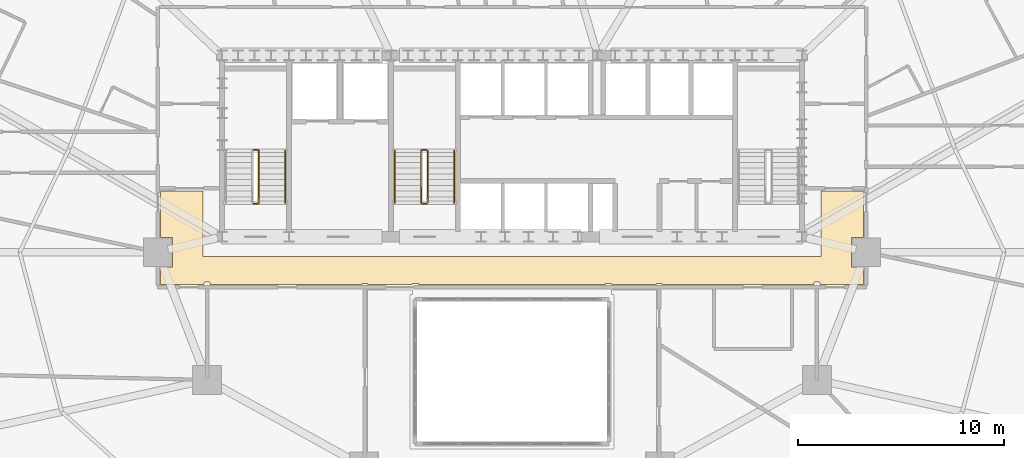
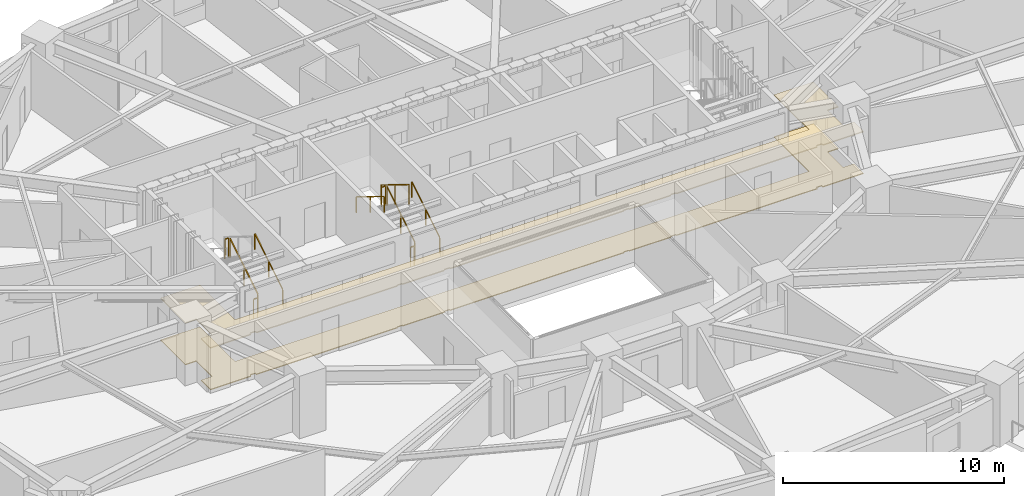
# One storey, part 15 of 17: 10 railings, 2 coverings.
"""IFC4 building model written with IfcOpenShell, lengths in metres."""

from ifc_helpers import new_model, si_unit, direction, frame, origin, origin_2d, place, context, subcontext, project, spatial, polyline, rectangle, outline, extrude, material, layer, layer_set, type_object, element, save


model = new_model("IFC4")

# Units and contexts
model_context = context("Model", 3, precision=1e-05, world=origin(), true_north=direction((0.0, 1.0)))
body_context = subcontext(model_context, "Body", "Model", "MODEL_VIEW")
ifc_project = project(units=[si_unit("LENGTHUNIT", "METRE"), si_unit("AREAUNIT", "SQUARE_METRE"), si_unit("VOLUMEUNIT", "CUBIC_METRE"), si_unit("PLANEANGLEUNIT", "RADIAN"), si_unit("MASSUNIT", "GRAM", prefix="KILO")], contexts=[model_context])

# Site, building, storey
site_placement = place(None, origin())
site = spatial("IfcSite", under=ifc_project, at=site_placement, CompositionType="ELEMENT")
building_placement = place(site_placement, origin())
building = spatial("IfcBuilding", under=site, at=building_placement, Name="Haldorwick Loom Tower", CompositionType="ELEMENT")
storey_placement = place(building_placement, frame((0.0, 0.0, 27.449951171875)))
storey = spatial("IfcBuildingStorey", under=building, at=storey_placement, Name="L06", CompositionType="ELEMENT", Elevation=27.449951171875)

# Coverings
ifc_material_1 = material(Name="Mineral Fibre Acoustic Ceiling Tile")
ifc_layer_1 = layer(ifc_material_1, 0.054931640625, Name="Mineral Fibre Acoustic Ceiling Tile")
ifc_layer_set_1 = layer_set([ifc_layer_1], Name="Mineral Fibre Acoustic Ceiling Tile")
covering_type_1 = type_object("IfcCoveringType", Name="ARC-COV-CEIL2", PredefinedType="CEILING", material=ifc_layer_set_1)
covering_1_placement = place(storey_placement, frame((0.0, 0.0, 2.302001953125)))
element("IfcCovering", 1, at=covering_1_placement, inside=storey, type_object=covering_type_1, Name="L06 Acoustic Suspended Ceiling 2", PredefinedType="CEILING", context=body_context, shape_type="SweptSolid", body=[
    extrude(outline(polyline([(51.0, 28.9599609375), (51.0, 25.800048828125), (21.0, 25.800048828125), (21.0, 28.9599609375), (18.93994140625, 28.9599609375), (18.93994140625, 26.7080078125), (19.508056640625, 26.7080078125), (19.508056640625, 25.2919921875), (18.93994140625, 25.2919921875), (18.93994140625, 24.43994140625), (21.06005859375, 24.43994140625), (21.06005859375, 24.52001953125), (21.06005859375, 24.52197265625), (21.060302734375, 24.52392578125), (21.060791015625, 24.52587890625), (21.0615234375, 24.527587890625), (21.0625, 24.529296875), (21.0634765625, 24.531005859375), (21.064453125, 24.53271484375), (21.06591796875, 24.5341796875), (21.0673828125, 24.535400390625), (21.06884765625, 24.53662109375), (21.070556640625, 24.53759765625), (21.072265625, 24.53857421875), (21.07421875, 24.5390625), (21.076171875, 24.53955078125), (21.077880859375, 24.539794921875), (21.080078125, 24.5400390625), (21.320068359375, 24.5400390625), (21.322021484375, 24.539794921875), (21.323974609375, 24.53955078125), (21.32568359375, 24.5390625), (21.32763671875, 24.53857421875), (21.329345703125, 24.53759765625), (21.3310546875, 24.53662109375), (21.332763671875, 24.535400390625), (21.333984375, 24.5341796875), (21.33544921875, 24.53271484375), (21.336669921875, 24.531005859375), (21.337646484375, 24.529296875), (21.33837890625, 24.527587890625), (21.339111328125, 24.52587890625), (21.339599609375, 24.52392578125), (21.33984375, 24.52197265625), (21.340087890625, 24.52001953125), (21.340087890625, 24.43994140625), (28.7099609375, 24.43994140625), (28.7099609375, 24.469970703125), (28.710205078125, 24.471923828125), (28.71044921875, 24.473876953125), (28.7109375, 24.475830078125), (28.71142578125, 24.477783203125), (28.71240234375, 24.4794921875), (28.71337890625, 24.481201171875), (28.714599609375, 24.482666015625), (28.7158203125, 24.484130859375), (28.71728515625, 24.485595703125), (28.718994140625, 24.486572265625), (28.720703125, 24.487548828125), (28.722412109375, 24.488525390625), (28.72412109375, 24.489013671875), (28.72607421875, 24.489501953125), (28.72802734375, 24.489990234375), (28.72998046875, 24.489990234375), (28.969970703125, 24.489990234375), (28.971923828125, 24.489990234375), (28.973876953125, 24.489501953125), (28.975830078125, 24.489013671875), (28.977783203125, 24.488525390625), (28.9794921875, 24.487548828125), (28.981201171875, 24.486572265625), (28.982666015625, 24.485595703125), (28.984130859375, 24.484130859375), (28.985595703125, 24.482666015625), (28.986572265625, 24.481201171875), (28.987548828125, 24.4794921875), (28.988525390625, 24.477783203125), (28.989013671875, 24.475830078125), (28.989501953125, 24.473876953125), (28.989990234375, 24.471923828125), (28.989990234375, 24.469970703125), (28.989990234375, 24.43994140625), (31.179931640625, 24.43994140625), (31.179931640625, 24.469970703125), (31.18017578125, 24.471923828125), (31.180419921875, 24.473876953125), (31.180908203125, 24.475830078125), (31.181396484375, 24.477783203125), (31.182373046875, 24.4794921875), (31.183349609375, 24.481201171875), (31.1845703125, 24.482666015625), (31.185791015625, 24.484130859375), (31.187255859375, 24.485595703125), (31.18896484375, 24.486572265625), (31.190673828125, 24.487548828125), (31.1923828125, 24.488525390625), (31.194091796875, 24.489013671875), (31.196044921875, 24.489501953125), (31.197998046875, 24.489990234375), (31.199951171875, 24.489990234375), (31.43994140625, 24.489990234375), (31.44189453125, 24.489990234375), (31.44384765625, 24.489501953125), (31.44580078125, 24.489013671875), (31.44775390625, 24.488525390625), (31.449462890625, 24.487548828125), (31.451171875, 24.486572265625), (31.45263671875, 24.485595703125), (31.4541015625, 24.484130859375), (31.45556640625, 24.482666015625), (31.45654296875, 24.481201171875), (31.45751953125, 24.4794921875), (31.45849609375, 24.477783203125), (31.458984375, 24.475830078125), (31.459716796875, 24.473876953125), (31.4599609375, 24.471923828125), (31.4599609375, 24.469970703125), (31.4599609375, 24.43994140625), (40.5400390625, 24.43994140625), (40.5400390625, 24.469970703125), (40.5400390625, 24.471923828125), (40.540283203125, 24.473876953125), (40.541015625, 24.475830078125), (40.54150390625, 24.477783203125), (40.54248046875, 24.4794921875), (40.54345703125, 24.481201171875), (40.54443359375, 24.482666015625), (40.5458984375, 24.484130859375), (40.54736328125, 24.485595703125), (40.548828125, 24.486572265625), (40.550537109375, 24.487548828125), (40.55224609375, 24.488525390625), (40.55419921875, 24.489013671875), (40.55615234375, 24.489501953125), (40.55810546875, 24.489990234375), (40.56005859375, 24.489990234375), (40.800048828125, 24.489990234375), (40.802001953125, 24.489990234375), (40.803955078125, 24.489501953125), (40.805908203125, 24.489013671875), (40.8076171875, 24.488525390625), (40.809326171875, 24.487548828125), (40.81103515625, 24.486572265625), (40.812744140625, 24.485595703125), (40.814208984375, 24.484130859375), (40.8154296875, 24.482666015625), (40.816650390625, 24.481201171875), (40.817626953125, 24.4794921875), (40.818603515625, 24.477783203125), (40.819091796875, 24.475830078125), (40.819580078125, 24.473876953125), (40.81982421875, 24.471923828125), (40.820068359375, 24.469970703125), (40.820068359375, 24.43994140625), (43.010009765625, 24.43994140625), (43.010009765625, 24.469970703125), (43.010009765625, 24.471923828125), (43.010498046875, 24.473876953125), (43.010986328125, 24.475830078125), (43.011474609375, 24.477783203125), (43.012451171875, 24.4794921875), (43.013427734375, 24.481201171875), (43.014404296875, 24.482666015625), (43.015869140625, 24.484130859375), (43.017333984375, 24.485595703125), (43.018798828125, 24.486572265625), (43.0205078125, 24.487548828125), (43.022216796875, 24.488525390625), (43.024169921875, 24.489013671875), (43.026123046875, 24.489501953125), (43.028076171875, 24.489990234375), (43.030029296875, 24.489990234375), (43.27001953125, 24.489990234375), (43.27197265625, 24.489990234375), (43.27392578125, 24.489501953125), (43.27587890625, 24.489013671875), (43.277587890625, 24.488525390625), (43.279296875, 24.487548828125), (43.281005859375, 24.486572265625), (43.28271484375, 24.485595703125), (43.2841796875, 24.484130859375), (43.285400390625, 24.482666015625), (43.28662109375, 24.481201171875), (43.28759765625, 24.4794921875), (43.28857421875, 24.477783203125), (43.2890625, 24.475830078125), (43.28955078125, 24.473876953125), (43.289794921875, 24.471923828125), (43.2900390625, 24.469970703125), (43.2900390625, 24.43994140625), (50.659912109375, 24.43994140625), (50.659912109375, 24.52001953125), (50.66015625, 24.52197265625), (50.660400390625, 24.52392578125), (50.660888671875, 24.52587890625), (50.66162109375, 24.527587890625), (50.662353515625, 24.529296875), (50.663330078125, 24.531005859375), (50.66455078125, 24.53271484375), (50.666015625, 24.5341796875), (50.667236328125, 24.535400390625), (50.6689453125, 24.53662109375), (50.670654296875, 24.53759765625), (50.67236328125, 24.53857421875), (50.67431640625, 24.5390625), (50.676025390625, 24.53955078125), (50.677978515625, 24.539794921875), (50.679931640625, 24.5400390625), (50.919921875, 24.5400390625), (50.922119140625, 24.539794921875), (50.923828125, 24.53955078125), (50.92578125, 24.5390625), (50.927734375, 24.53857421875), (50.929443359375, 24.53759765625), (50.93115234375, 24.53662109375), (50.9326171875, 24.535400390625), (50.93408203125, 24.5341796875), (50.935546875, 24.53271484375), (50.9365234375, 24.531005859375), (50.9375, 24.529296875), (50.9384765625, 24.527587890625), (50.939208984375, 24.52587890625), (50.939697265625, 24.52392578125), (50.93994140625, 24.52197265625), (50.93994140625, 24.52001953125), (50.93994140625, 24.43994140625), (53.06005859375, 24.43994140625), (53.06005859375, 25.2919921875), (52.491943359375, 25.2919921875), (52.491943359375, 26.7080078125), (53.06005859375, 26.7080078125), (53.06005859375, 28.9599609375), (51.0, 28.9599609375)])), origin(), (0.0, 0.0, 1.0), 0.054931640625),
])
ifc_material_2 = material(Name="Polished Aggregate Terrazzo Finish")
ifc_layer_2 = layer(ifc_material_2, 0.044921875, Name="Polished Aggregate Terrazzo Finish")
ifc_layer_set_2 = layer_set([ifc_layer_2], Name="Polished Aggregate Terrazzo Finish")
covering_type_2 = type_object("IfcCoveringType", Name="ARC-COV-FLOOR2", PredefinedType="FLOORING", material=ifc_layer_set_2)
covering_2_placement = place(storey_placement, origin())
element("IfcCovering", 2, at=covering_2_placement, inside=storey, type_object=covering_type_2, Name="L06 Floor Finish 2", PredefinedType="FLOORING", context=body_context, shape_type="SweptSolid", body=[
    extrude(outline(polyline([(51.0, 28.9599609375), (51.0, 25.800048828125), (21.0, 25.800048828125), (21.0, 28.9599609375), (18.93994140625, 28.9599609375), (18.93994140625, 26.7080078125), (19.508056640625, 26.7080078125), (19.508056640625, 25.2919921875), (18.93994140625, 25.2919921875), (18.93994140625, 24.43994140625), (21.06005859375, 24.43994140625), (21.06005859375, 24.52001953125), (21.06005859375, 24.52197265625), (21.060302734375, 24.52392578125), (21.060791015625, 24.52587890625), (21.0615234375, 24.527587890625), (21.0625, 24.529296875), (21.0634765625, 24.531005859375), (21.064453125, 24.53271484375), (21.06591796875, 24.5341796875), (21.0673828125, 24.535400390625), (21.06884765625, 24.53662109375), (21.070556640625, 24.53759765625), (21.072265625, 24.53857421875), (21.07421875, 24.5390625), (21.076171875, 24.53955078125), (21.077880859375, 24.539794921875), (21.080078125, 24.5400390625), (21.320068359375, 24.5400390625), (21.322021484375, 24.539794921875), (21.323974609375, 24.53955078125), (21.32568359375, 24.5390625), (21.32763671875, 24.53857421875), (21.329345703125, 24.53759765625), (21.3310546875, 24.53662109375), (21.332763671875, 24.535400390625), (21.333984375, 24.5341796875), (21.33544921875, 24.53271484375), (21.336669921875, 24.531005859375), (21.337646484375, 24.529296875), (21.33837890625, 24.527587890625), (21.339111328125, 24.52587890625), (21.339599609375, 24.52392578125), (21.33984375, 24.52197265625), (21.340087890625, 24.52001953125), (21.340087890625, 24.43994140625), (28.7099609375, 24.43994140625), (28.7099609375, 24.469970703125), (28.710205078125, 24.471923828125), (28.71044921875, 24.473876953125), (28.7109375, 24.475830078125), (28.71142578125, 24.477783203125), (28.71240234375, 24.4794921875), (28.71337890625, 24.481201171875), (28.714599609375, 24.482666015625), (28.7158203125, 24.484130859375), (28.71728515625, 24.485595703125), (28.718994140625, 24.486572265625), (28.720703125, 24.487548828125), (28.722412109375, 24.488525390625), (28.72412109375, 24.489013671875), (28.72607421875, 24.489501953125), (28.72802734375, 24.489990234375), (28.72998046875, 24.489990234375), (28.969970703125, 24.489990234375), (28.971923828125, 24.489990234375), (28.973876953125, 24.489501953125), (28.975830078125, 24.489013671875), (28.977783203125, 24.488525390625), (28.9794921875, 24.487548828125), (28.981201171875, 24.486572265625), (28.982666015625, 24.485595703125), (28.984130859375, 24.484130859375), (28.985595703125, 24.482666015625), (28.986572265625, 24.481201171875), (28.987548828125, 24.4794921875), (28.988525390625, 24.477783203125), (28.989013671875, 24.475830078125), (28.989501953125, 24.473876953125), (28.989990234375, 24.471923828125), (28.989990234375, 24.469970703125), (28.989990234375, 24.43994140625), (31.179931640625, 24.43994140625), (31.179931640625, 24.469970703125), (31.18017578125, 24.471923828125), (31.180419921875, 24.473876953125), (31.180908203125, 24.475830078125), (31.181396484375, 24.477783203125), (31.182373046875, 24.4794921875), (31.183349609375, 24.481201171875), (31.1845703125, 24.482666015625), (31.185791015625, 24.484130859375), (31.187255859375, 24.485595703125), (31.18896484375, 24.486572265625), (31.190673828125, 24.487548828125), (31.1923828125, 24.488525390625), (31.194091796875, 24.489013671875), (31.196044921875, 24.489501953125), (31.197998046875, 24.489990234375), (31.199951171875, 24.489990234375), (31.43994140625, 24.489990234375), (31.44189453125, 24.489990234375), (31.44384765625, 24.489501953125), (31.44580078125, 24.489013671875), (31.44775390625, 24.488525390625), (31.449462890625, 24.487548828125), (31.451171875, 24.486572265625), (31.45263671875, 24.485595703125), (31.4541015625, 24.484130859375), (31.45556640625, 24.482666015625), (31.45654296875, 24.481201171875), (31.45751953125, 24.4794921875), (31.45849609375, 24.477783203125), (31.458984375, 24.475830078125), (31.459716796875, 24.473876953125), (31.4599609375, 24.471923828125), (31.4599609375, 24.469970703125), (31.4599609375, 24.43994140625), (40.5400390625, 24.43994140625), (40.5400390625, 24.469970703125), (40.5400390625, 24.471923828125), (40.540283203125, 24.473876953125), (40.541015625, 24.475830078125), (40.54150390625, 24.477783203125), (40.54248046875, 24.4794921875), (40.54345703125, 24.481201171875), (40.54443359375, 24.482666015625), (40.5458984375, 24.484130859375), (40.54736328125, 24.485595703125), (40.548828125, 24.486572265625), (40.550537109375, 24.487548828125), (40.55224609375, 24.488525390625), (40.55419921875, 24.489013671875), (40.55615234375, 24.489501953125), (40.55810546875, 24.489990234375), (40.56005859375, 24.489990234375), (40.800048828125, 24.489990234375), (40.802001953125, 24.489990234375), (40.803955078125, 24.489501953125), (40.805908203125, 24.489013671875), (40.8076171875, 24.488525390625), (40.809326171875, 24.487548828125), (40.81103515625, 24.486572265625), (40.812744140625, 24.485595703125), (40.814208984375, 24.484130859375), (40.8154296875, 24.482666015625), (40.816650390625, 24.481201171875), (40.817626953125, 24.4794921875), (40.818603515625, 24.477783203125), (40.819091796875, 24.475830078125), (40.819580078125, 24.473876953125), (40.81982421875, 24.471923828125), (40.820068359375, 24.469970703125), (40.820068359375, 24.43994140625), (43.010009765625, 24.43994140625), (43.010009765625, 24.469970703125), (43.010009765625, 24.471923828125), (43.010498046875, 24.473876953125), (43.010986328125, 24.475830078125), (43.011474609375, 24.477783203125), (43.012451171875, 24.4794921875), (43.013427734375, 24.481201171875), (43.014404296875, 24.482666015625), (43.015869140625, 24.484130859375), (43.017333984375, 24.485595703125), (43.018798828125, 24.486572265625), (43.0205078125, 24.487548828125), (43.022216796875, 24.488525390625), (43.024169921875, 24.489013671875), (43.026123046875, 24.489501953125), (43.028076171875, 24.489990234375), (43.030029296875, 24.489990234375), (43.27001953125, 24.489990234375), (43.27197265625, 24.489990234375), (43.27392578125, 24.489501953125), (43.27587890625, 24.489013671875), (43.277587890625, 24.488525390625), (43.279296875, 24.487548828125), (43.281005859375, 24.486572265625), (43.28271484375, 24.485595703125), (43.2841796875, 24.484130859375), (43.285400390625, 24.482666015625), (43.28662109375, 24.481201171875), (43.28759765625, 24.4794921875), (43.28857421875, 24.477783203125), (43.2890625, 24.475830078125), (43.28955078125, 24.473876953125), (43.289794921875, 24.471923828125), (43.2900390625, 24.469970703125), (43.2900390625, 24.43994140625), (50.659912109375, 24.43994140625), (50.659912109375, 24.52001953125), (50.66015625, 24.52197265625), (50.660400390625, 24.52392578125), (50.660888671875, 24.52587890625), (50.66162109375, 24.527587890625), (50.662353515625, 24.529296875), (50.663330078125, 24.531005859375), (50.66455078125, 24.53271484375), (50.666015625, 24.5341796875), (50.667236328125, 24.535400390625), (50.6689453125, 24.53662109375), (50.670654296875, 24.53759765625), (50.67236328125, 24.53857421875), (50.67431640625, 24.5390625), (50.676025390625, 24.53955078125), (50.677978515625, 24.539794921875), (50.679931640625, 24.5400390625), (50.919921875, 24.5400390625), (50.922119140625, 24.539794921875), (50.923828125, 24.53955078125), (50.92578125, 24.5390625), (50.927734375, 24.53857421875), (50.929443359375, 24.53759765625), (50.93115234375, 24.53662109375), (50.9326171875, 24.535400390625), (50.93408203125, 24.5341796875), (50.935546875, 24.53271484375), (50.9365234375, 24.531005859375), (50.9375, 24.529296875), (50.9384765625, 24.527587890625), (50.939208984375, 24.52587890625), (50.939697265625, 24.52392578125), (50.93994140625, 24.52197265625), (50.93994140625, 24.52001953125), (50.93994140625, 24.43994140625), (53.06005859375, 24.43994140625), (53.06005859375, 25.2919921875), (52.491943359375, 25.2919921875), (52.491943359375, 26.7080078125), (53.06005859375, 26.7080078125), (53.06005859375, 28.9599609375), (51.0, 28.9599609375)])), origin(), (0.0, 0.0, 1.0), 0.045166015625),
])

# Railings
ifc_material_3 = material(Name="Steel CSA G40.21 350W", Category="steel")
railing_type_1 = type_object("IfcRailingType", Name="ARC-RLG-GUARD112", PredefinedType="GUARDRAIL", material=ifc_material_3)
railing_1_placement = place(storey_placement, frame((23.699951171875, 28.39990234375, 0.172607421875)))
element("IfcRailing", 3, at=railing_1_placement, inside=storey, type_object=railing_type_1, Name="L06 ST-01 stair guard 1", PredefinedType="GUARDRAIL", context=body_context, shape_type="SweptSolid", body=[
    extrude(rectangle(XDim=0.048095703125, YDim=0.048095703125, at=origin_2d()), frame((0.0, 0.0, 1.076171875), z_axis=(0.0, 0.851400495292, 0.524516154772), x_axis=(-1.0, 0.0, 0.0)), (0.0, 0.0, 1.0), 2.9599609375),
    extrude(rectangle(XDim=0.0419921875, YDim=0.0419921875, at=origin_2d()), origin(), (0.0, 0.0, 1.0), 1.052001953125),
    extrude(rectangle(XDim=0.0419921875, YDim=0.0419921875, at=origin_2d()), frame((0.0, 1.260009765625, 0.7763671875)), (0.0, 0.0, 1.0), 1.052001953125),
    extrude(rectangle(XDim=0.0419921875, YDim=0.0419921875, at=origin_2d()), frame((0.0, 2.52001953125, 1.552490234375)), (0.0, 0.0, 1.0), 1.052001953125),
])
for number, where, name in (
    (4, (23.64990234375, 30.969970703125, 1.72509765625), "L06 ST-01 stair guard 2"),
    (5, (23.64990234375, 28.35009765625, 0.0), "L06 ST-01 stair guard 4"),
):
    element("IfcRailing", number, at=place(storey_placement, frame(where)), inside=storey, type_object=railing_type_1, Name=name, PredefinedType="GUARDRAIL", context=body_context, shape_type="SweptSolid", body=[
        extrude(rectangle(XDim=0.048095703125, YDim=0.048095703125, at=origin_2d()), frame((0.0, 0.0, 1.076171875), z_axis=(-1.0, 0.0, 0.0), x_axis=(0.0, -1.0, 0.0)), (0.0, 0.0, 1.0), 0.199951171875),
        extrude(rectangle(XDim=0.0419921875, YDim=0.0419921875, at=origin_2d()), origin(), (0.0, 0.0, 1.0), 1.052001953125),
        extrude(rectangle(XDim=0.0419921875, YDim=0.0419921875, at=origin_2d()), frame((-0.199951171875, 0.0, 0.0)), (0.0, 0.0, 1.0), 1.052001953125),
    ])
railing_2_placement = place(storey_placement, frame((31.89990234375, 28.39990234375, 0.172607421875)))
element("IfcRailing", 6, at=railing_2_placement, inside=storey, type_object=railing_type_1, Name="L06 ST-03 stair guard 1", PredefinedType="GUARDRAIL", context=body_context, shape_type="SweptSolid", body=[
    extrude(rectangle(XDim=0.048095703125, YDim=0.048095703125, at=origin_2d()), frame((0.0, 0.0, 1.076171875), z_axis=(0.0, 0.851400495292, 0.524516154772), x_axis=(-1.0, 0.0, 0.0)), (0.0, 0.0, 1.0), 2.9599609375),
    extrude(rectangle(XDim=0.0419921875, YDim=0.0419921875, at=origin_2d()), origin(), (0.0, 0.0, 1.0), 1.052001953125),
    extrude(rectangle(XDim=0.0419921875, YDim=0.0419921875, at=origin_2d()), frame((0.0, 1.260009765625, 0.7763671875)), (0.0, 0.0, 1.0), 1.052001953125),
    extrude(rectangle(XDim=0.0419921875, YDim=0.0419921875, at=origin_2d()), frame((0.0, 2.52001953125, 1.552490234375)), (0.0, 0.0, 1.0), 1.052001953125),
])
railing_3_placement = place(storey_placement, frame((31.85009765625, 30.969970703125, 1.72509765625)))
element("IfcRailing", 7, at=railing_3_placement, inside=storey, type_object=railing_type_1, Name="L06 ST-03 stair guard 2", PredefinedType="GUARDRAIL", context=body_context, shape_type="SweptSolid", body=[
    extrude(rectangle(XDim=0.048095703125, YDim=0.048095703125, at=origin_2d()), frame((0.0, 0.0, 1.076171875), z_axis=(-1.0, 0.0, 0.0), x_axis=(0.0, -1.0, 0.0)), (0.0, 0.0, 1.0), 0.2001953125),
    extrude(rectangle(XDim=0.0419921875, YDim=0.0419921875, at=origin_2d()), origin(), (0.0, 0.0, 1.0), 1.052001953125),
    extrude(rectangle(XDim=0.0419921875, YDim=0.0419921875, at=origin_2d()), frame((-0.2001953125, 0.0, 0.0)), (0.0, 0.0, 1.0), 1.052001953125),
])
railing_4_placement = place(storey_placement, frame((31.60009765625, 30.919921875, 1.8974609375)))
element("IfcRailing", 8, at=railing_4_placement, inside=storey, type_object=railing_type_1, Name="L06 ST-03 stair guard 3", PredefinedType="GUARDRAIL", context=body_context, shape_type="SweptSolid", body=[
    extrude(rectangle(XDim=0.048095703125, YDim=0.048095703125, at=origin_2d()), frame((0.0, 0.0, 1.076171875), z_axis=(0.0, -0.851400495292, 0.524516154772), x_axis=(1.0, 0.0, 0.0)), (0.0, 0.0, 1.0), 2.9599609375),
    extrude(rectangle(XDim=0.0419921875, YDim=0.0419921875, at=origin_2d()), origin(), (0.0, 0.0, 1.0), 1.052001953125),
    extrude(rectangle(XDim=0.0419921875, YDim=0.0419921875, at=origin_2d()), frame((0.0, -1.260009765625, 0.7763671875)), (0.0, 0.0, 1.0), 1.052001953125),
    extrude(rectangle(XDim=0.0419921875, YDim=0.0419921875, at=origin_2d()), frame((0.0, -2.52001953125, 1.552490234375)), (0.0, 0.0, 1.0), 1.052001953125),
])
railing_5_placement = place(storey_placement, frame((31.85009765625, 28.35009765625, 0.0)))
element("IfcRailing", 9, at=railing_5_placement, inside=storey, type_object=railing_type_1, Name="L06 ST-03 stair guard 4", PredefinedType="GUARDRAIL", context=body_context, shape_type="SweptSolid", body=[
    extrude(rectangle(XDim=0.048095703125, YDim=0.048095703125, at=origin_2d()), frame((0.0, 0.0, 1.076171875), z_axis=(-1.0, 0.0, 0.0), x_axis=(0.0, -1.0, 0.0)), (0.0, 0.0, 1.0), 0.2001953125),
    extrude(rectangle(XDim=0.0419921875, YDim=0.0419921875, at=origin_2d()), origin(), (0.0, 0.0, 1.0), 1.052001953125),
    extrude(rectangle(XDim=0.0419921875, YDim=0.0419921875, at=origin_2d()), frame((-0.2001953125, 0.0, 0.0)), (0.0, 0.0, 1.0), 1.052001953125),
])
railing_type_2 = type_object("IfcRailingType", Name="ARC-RLG-HAND092", PredefinedType="HANDRAIL", material=ifc_material_3)
for number, where, name in (
    (10, (25.0, 28.39990234375, 0.172607421875), "L06 ST-01 stair handrail 1"),
    (11, (33.199951171875, 28.39990234375, 0.172607421875), "L06 ST-03 stair handrail 1"),
):
    element("IfcRailing", number, at=place(storey_placement, frame(where)), inside=storey, type_object=railing_type_2, Name=name, PredefinedType="HANDRAIL", context=body_context, shape_type="SweptSolid", body=[
        extrude(rectangle(XDim=0.048095703125, YDim=0.048095703125, at=origin_2d()), frame((0.0, 0.0, 0.8759765625), z_axis=(0.0, 0.851400495292, 0.524516154772), x_axis=(-1.0, 0.0, 0.0)), (0.0, 0.0, 1.0), 2.9599609375),
        extrude(rectangle(XDim=0.0419921875, YDim=0.0419921875, at=origin_2d()), origin(), (0.0, 0.0, 1.0), 0.851806640625),
        extrude(rectangle(XDim=0.0419921875, YDim=0.0419921875, at=origin_2d()), frame((0.0, 1.260009765625, 0.7763671875)), (0.0, 0.0, 1.0), 0.851806640625),
        extrude(rectangle(XDim=0.0419921875, YDim=0.0419921875, at=origin_2d()), frame((0.0, 2.52001953125, 1.552490234375)), (0.0, 0.0, 1.0), 0.851806640625),
    ])
railing_6_placement = place(storey_placement, frame((30.300048828125, 30.919921875, 1.8974609375)))
element("IfcRailing", 12, at=railing_6_placement, inside=storey, type_object=railing_type_2, Name="L06 ST-03 stair handrail 2", PredefinedType="HANDRAIL", context=body_context, shape_type="SweptSolid", body=[
    extrude(rectangle(XDim=0.048095703125, YDim=0.048095703125, at=origin_2d()), frame((0.0, 0.0, 0.8759765625), z_axis=(0.0, -0.851400495292, 0.524516154772), x_axis=(1.0, 0.0, 0.0)), (0.0, 0.0, 1.0), 2.9599609375),
    extrude(rectangle(XDim=0.0419921875, YDim=0.0419921875, at=origin_2d()), origin(), (0.0, 0.0, 1.0), 0.851806640625),
    extrude(rectangle(XDim=0.0419921875, YDim=0.0419921875, at=origin_2d()), frame((0.0, -1.260009765625, 0.7763671875)), (0.0, 0.0, 1.0), 0.851806640625),
    extrude(rectangle(XDim=0.0419921875, YDim=0.0419921875, at=origin_2d()), frame((0.0, -2.52001953125, 1.552490234375)), (0.0, 0.0, 1.0), 0.851806640625),
])

save(model, "model.ifc")
